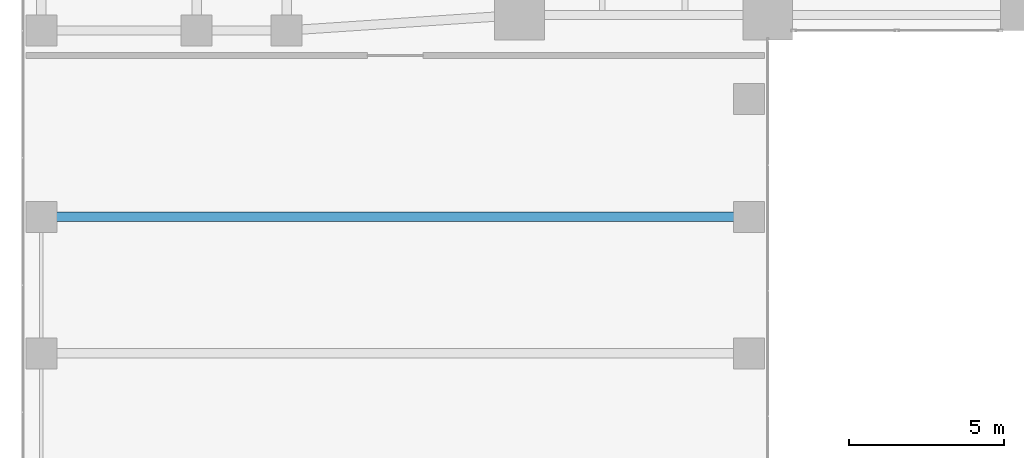
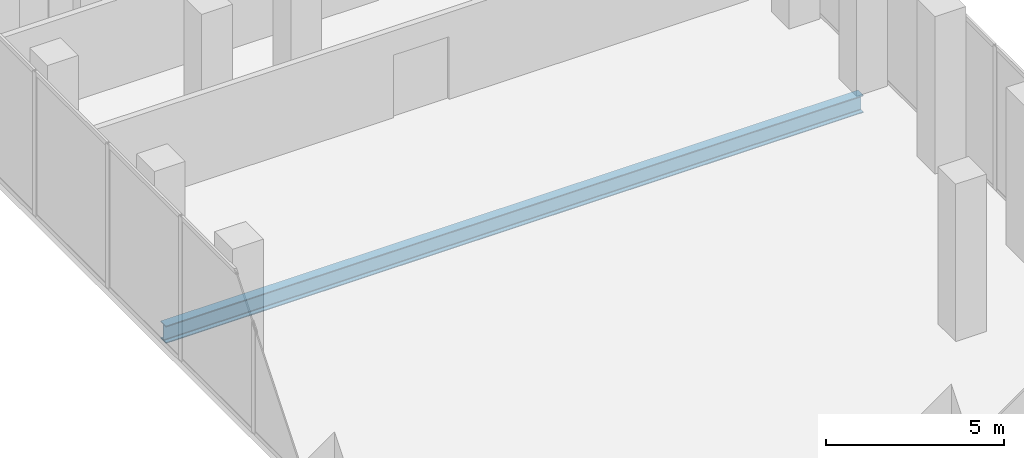
# One storey, part 7 of 24: 1 beam.
"""IFC4 building model written with IfcOpenShell, lengths in metres."""

from ifc_helpers import new_model, si_unit, direction, frame, origin, origin_2d, place, context, subcontext, project, spatial, i_section, extrude, material, material_profile, profile_set, type_object, element, save


model = new_model("IFC4")

# Units and contexts
model_context = context("Model", 3, precision=1e-05, world=origin(), true_north=direction((0.0, 1.0)))
body_context = subcontext(model_context, "Body", "Model", "MODEL_VIEW")
ifc_project = project(units=[si_unit("LENGTHUNIT", "METRE"), si_unit("AREAUNIT", "SQUARE_METRE"), si_unit("VOLUMEUNIT", "CUBIC_METRE"), si_unit("PLANEANGLEUNIT", "RADIAN"), si_unit("MASSUNIT", "GRAM", prefix="KILO")], contexts=[model_context])

# Site, building, storey
site_placement = place(None, origin())
site = spatial("IfcSite", under=ifc_project, at=site_placement, CompositionType="ELEMENT")
building_placement = place(site_placement, origin())
building = spatial("IfcBuilding", under=site, at=building_placement, Name="Catumbela Crestline Tower", CompositionType="ELEMENT")
storey_placement = place(building_placement, frame((0.0, 0.0, 15.9)))
storey = spatial("IfcBuildingStorey", under=building, at=storey_placement, Name="L03", CompositionType="ELEMENT", Elevation=15.9)

# Beam
ifc_material = material(Name="Structural steel S355J2", Category="steel")
ifc_material_profile = material_profile(ifc_material, i_section(OverallWidth=0.3, OverallDepth=0.6, WebThickness=0.0155, FlangeThickness=0.03, FilletRadius=0.027, at=origin_2d()), Name="HEB 600")
ifc_profile_set = profile_set([ifc_material_profile], Name="Structural steel S355J2")
beam_type = type_object("IfcBeamType", Name="BG-HEB600", PredefinedType="BEAM", material=ifc_profile_set)
beam_placement = place(storey_placement, frame((0.68, 18.0, -0.62), z_axis=(1.0, 0.0, 0.0), x_axis=(0.0, 1.0, 0.0)))
element("IfcBeam", 1, at=beam_placement, inside=storey, type_object=beam_type, Name="L03 Beam BM-L03-BLR45", PredefinedType="BEAM", context=body_context, shape_type="SweptSolid", body=[
    extrude(i_section(OverallWidth=0.3, OverallDepth=0.6, WebThickness=0.0155, FlangeThickness=0.03, FilletRadius=0.027, at=origin_2d()), origin(), (0.0, 0.0, 1.0), 22.64),
])

save(model, "model.ifc")
